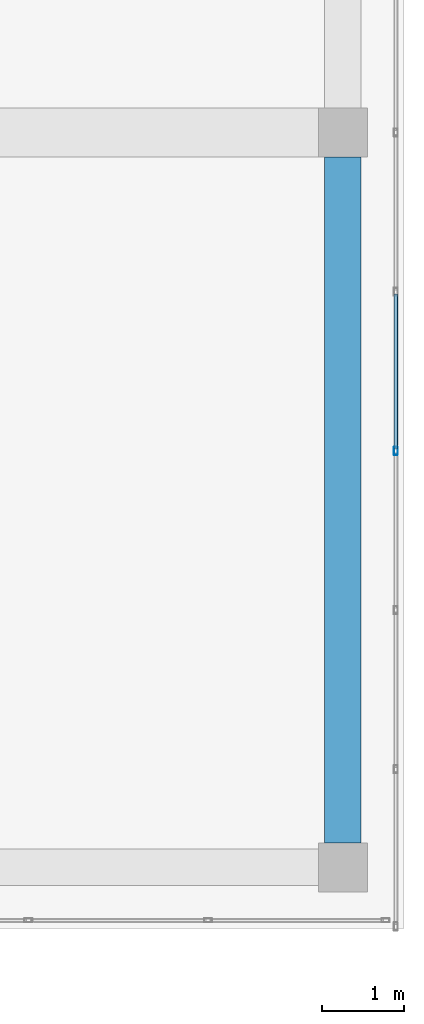
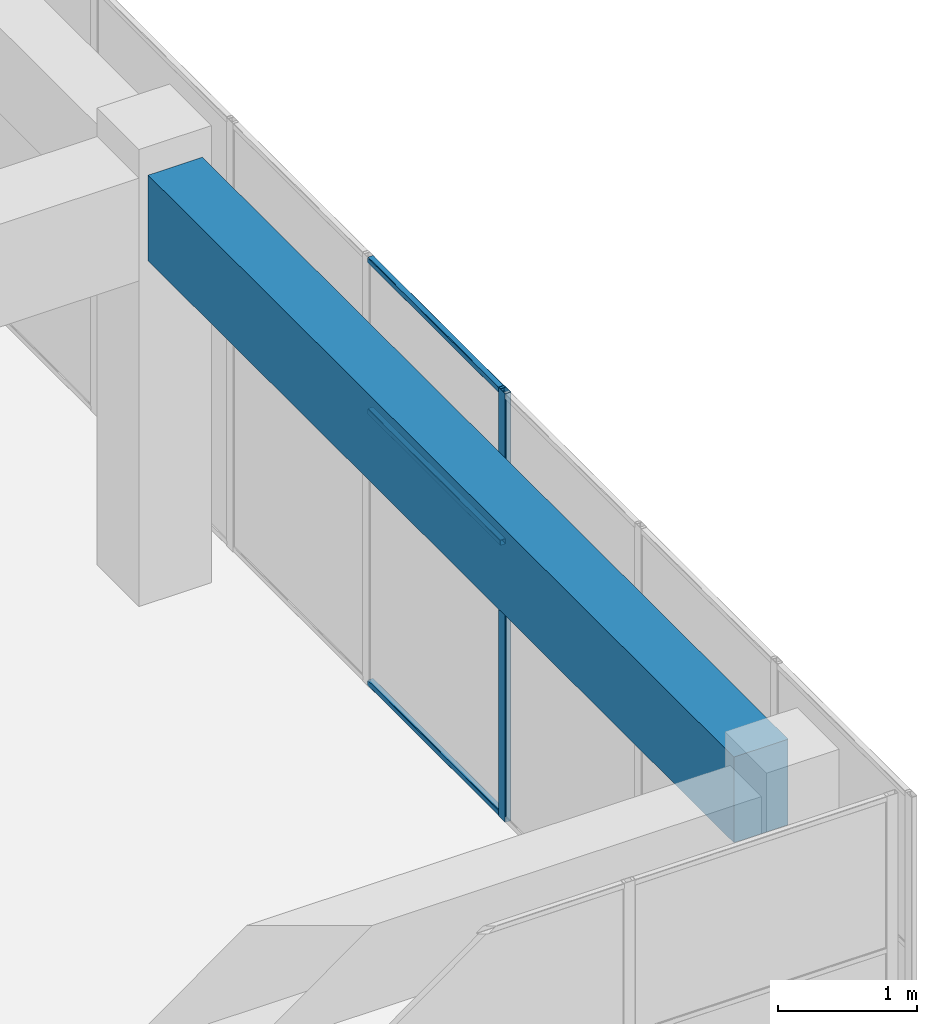
# One storey, part 14 of 32: 4 members, 1 beam, 1 element without a shape of its own.
"""IFC4 building model written with IfcOpenShell, lengths in metres."""

from ifc_helpers import new_model, si_unit, direction, frame, origin, origin_2d, place, context, subcontext, project, spatial, rectangle, hollow_rectangle, extrude, material, layer, layer_set, material_profile, profile_set, type_object, element, aggregate, save


model = new_model("IFC4")

# Units and contexts
model_context = context("Model", 3, precision=1e-05, world=origin(), true_north=direction((0.0, 1.0)))
body_context = subcontext(model_context, "Body", "Model", "MODEL_VIEW")
ifc_project = project(units=[si_unit("LENGTHUNIT", "METRE"), si_unit("AREAUNIT", "SQUARE_METRE"), si_unit("VOLUMEUNIT", "CUBIC_METRE"), si_unit("PLANEANGLEUNIT", "RADIAN"), si_unit("MASSUNIT", "GRAM", prefix="KILO")], contexts=[model_context])

# Site, building, storey
site_placement = place(None, origin())
site = spatial("IfcSite", under=ifc_project, at=site_placement, CompositionType="ELEMENT")
building_placement = place(site_placement, origin())
building = spatial("IfcBuilding", under=site, at=building_placement, Name="Tuart Plaza Theatre", CompositionType="ELEMENT")
storey_placement = place(building_placement, frame((0.0, 0.0, 41.5)))
storey = spatial("IfcBuildingStorey", under=building, at=storey_placement, Name="L10", CompositionType="ELEMENT", Elevation=41.5)

# Beam
ifc_material_1 = material(Name="Concrete N40 (40 MPa)", Category="concrete")
ifc_material_profile_1 = material_profile(ifc_material_1, rectangle(XDim=0.449951171875, YDim=0.75, at=origin_2d()), Name="BEAM 450x750 Concrete N40 (40 MPa)")
ifc_profile_set_1 = profile_set([ifc_material_profile_1], Name="Concrete N40 (40 MPa)")
beam_type = type_object("IfcBeamType", Name="BEAM 450x750 Concrete N40 (40 MPa)", PredefinedType="BEAM", material=ifc_profile_set_1)
beam_placement = place(storey_placement, frame((150.0, 65.300048828125, 3.375), z_axis=(0.0, 1.0, 0.0), x_axis=(-1.0, 0.0, 0.0)))
element("IfcBeam", 1, at=beam_placement, inside=storey, type_object=beam_type, Name="RB309", PredefinedType="BEAM", context=body_context, shape_type="SweptSolid", body=[
    extrude(rectangle(XDim=0.449951171875, YDim=0.75, at=origin_2d()), origin(), (0.0, 0.0, 1.0), 8.39990234375),
])

# Curtain wall, members
ifc_material_2 = material(Name="Aluminium and glass", Category="aluminium")
ifc_layer = layer(ifc_material_2, 0.10009765625)
ifc_layer_set = layer_set([ifc_layer], Name="CURTAIN WALL 2000 module")
curtain_wall_type = type_object("IfcCurtainWallType", Name="CURTAIN WALL 2000 module", PredefinedType="NOTDEFINED", material=ifc_layer_set)
curtain_wall_placement = place(storey_placement, origin())
curtain_wall = element("IfcCurtainWall", 2, at=curtain_wall_placement, inside=storey, type_object=curtain_wall_type, Name="CW102", PredefinedType="NOTDEFINED")
ifc_material_3 = material(Name="Aluminium 6063-T5", Category="aluminium")
ifc_material_profile_2 = material_profile(ifc_material_3, hollow_rectangle(XDim=0.050048828125, YDim=0.10009765625, WallThickness=0.00390625, InnerFilletRadius=0.00390625, OuterFilletRadius=0.008056640625, at=origin_2d()), Name="RHS 100x50x4")
ifc_profile_set_2 = profile_set([ifc_material_profile_2], Name="Aluminium 6063-T5")
member_type_1 = type_object("IfcMemberType", Name="MULLION RHS 100x50x4", PredefinedType="MULLION", material=ifc_profile_set_2)
member_1_placement = place(storey_placement, frame((150.64990234375, 70.10009765625, 0.0), z_axis=(0.0, 0.0, 1.0), x_axis=(-1.0, 0.0, 0.0)))
member_1 = element("IfcMember", 3, at=member_1_placement, type_object=member_type_1, Name="CW102 mullion 4", PredefinedType="MULLION", context=body_context, shape_type="SweptSolid", body=[
    extrude(hollow_rectangle(XDim=0.050048828125, YDim=0.10009765625, WallThickness=0.00390625, InnerFilletRadius=0.00390625, OuterFilletRadius=0.008056640625, at=origin_2d()), origin(), (0.0, 0.0, 1.0), 3.75),
])
ifc_material_4 = material(Name="Aluminium 6063-T5", Category="aluminium")
ifc_material_profile_3 = material_profile(ifc_material_4, hollow_rectangle(XDim=0.050048828125, YDim=0.050048828125, WallThickness=0.00390625, InnerFilletRadius=0.00390625, OuterFilletRadius=0.008056640625, at=origin_2d()), Name="RHS 50x50x4")
ifc_profile_set_3 = profile_set([ifc_material_profile_3], Name="Aluminium 6063-T5")
member_type_2 = type_object("IfcMemberType", Name="TRANSOM RHS 50x50x4", PredefinedType="USERDEFINED", material=ifc_profile_set_3)
member_2_placement = place(storey_placement, frame((150.64990234375, 70.125, 0.02490234375), z_axis=(0.0, 1.0, 0.0), x_axis=(-1.0, 0.0, 0.0)))
member_2 = element("IfcMember", 4, at=member_2_placement, type_object=member_type_2, Name="CW102 transom 4.1", ObjectType="TRANSOM", PredefinedType="USERDEFINED", context=body_context, shape_type="SweptSolid", body=[
    extrude(hollow_rectangle(XDim=0.050048828125, YDim=0.050048828125, WallThickness=0.00390625, InnerFilletRadius=0.00390625, OuterFilletRadius=0.008056640625, at=origin_2d()), origin(), (0.0, 0.0, 1.0), 1.89990234375),
])
member_3_placement = place(storey_placement, frame((150.64990234375, 70.125, 2.39990234375), z_axis=(0.0, 1.0, 0.0), x_axis=(-1.0, 0.0, 0.0)))
member_3 = element("IfcMember", 5, at=member_3_placement, type_object=member_type_2, Name="CW102 transom 4.2", ObjectType="TRANSOM", PredefinedType="USERDEFINED", context=body_context, shape_type="SweptSolid", body=[
    extrude(hollow_rectangle(XDim=0.050048828125, YDim=0.050048828125, WallThickness=0.00390625, InnerFilletRadius=0.00390625, OuterFilletRadius=0.008056640625, at=origin_2d()), origin(), (0.0, 0.0, 1.0), 1.89990234375),
])
member_4_placement = place(storey_placement, frame((150.64990234375, 70.125, 3.72509765625), z_axis=(0.0, 1.0, 0.0), x_axis=(-1.0, 0.0, 0.0)))
member_4 = element("IfcMember", 6, at=member_4_placement, type_object=member_type_2, Name="CW102 transom 4.3", ObjectType="TRANSOM", PredefinedType="USERDEFINED", context=body_context, shape_type="SweptSolid", body=[
    extrude(hollow_rectangle(XDim=0.050048828125, YDim=0.050048828125, WallThickness=0.00390625, InnerFilletRadius=0.00390625, OuterFilletRadius=0.008056640625, at=origin_2d()), origin(), (0.0, 0.0, 1.0), 1.89990234375),
])
aggregate(curtain_wall, [member_1, member_2, member_3, member_4])

save(model, "model.ifc")
